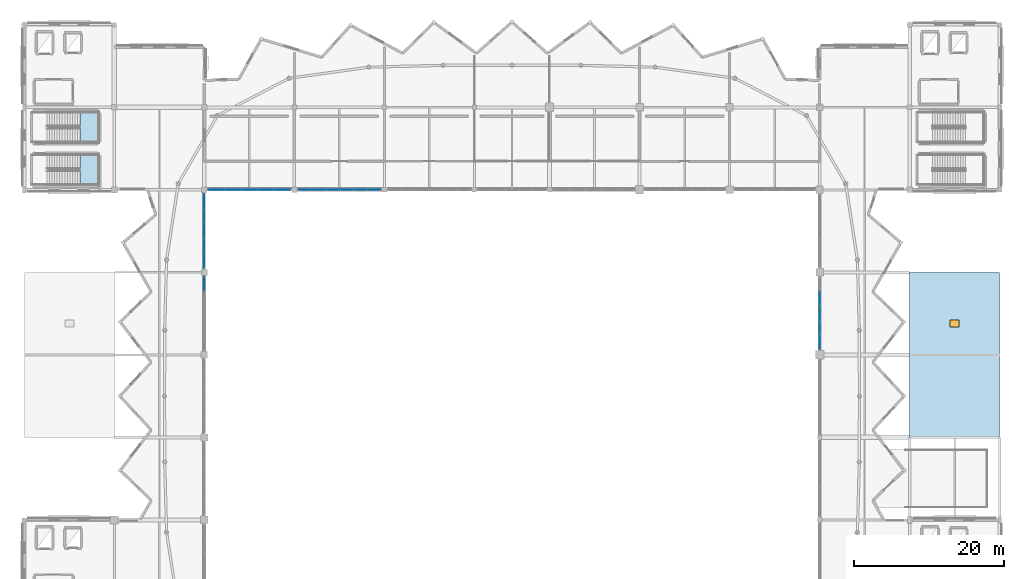
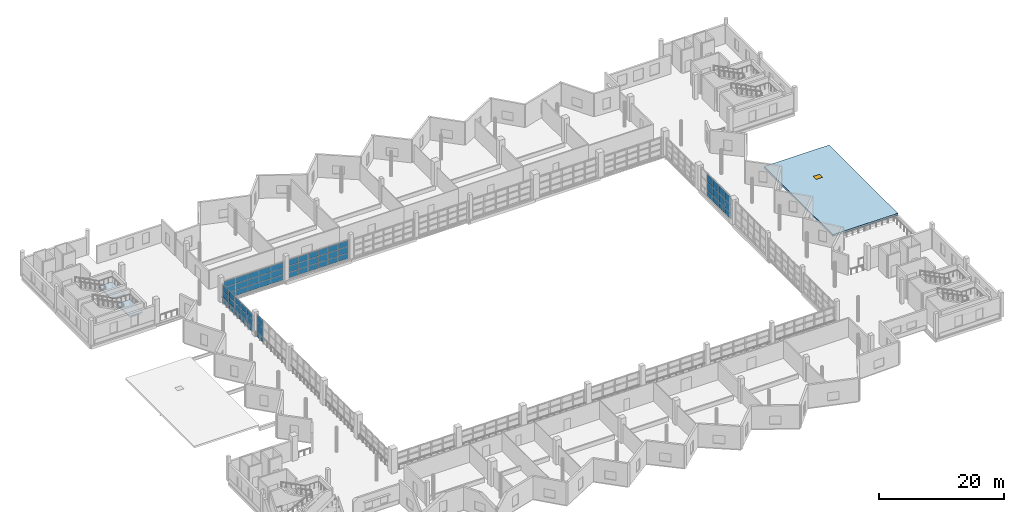
# One storey, part 32 of 53: 63 plates, 3 slabs, 1 window, 1 opening, 7 elements without a shape of their own.
"""IFC4 building model written with IfcOpenShell, lengths in metres."""

import ifcopenshell
import ifcopenshell.guid

model = None  # the IFC model being written
_history = None  # IfcOwnerHistory: only IFC2X3 demands one
_inside = {}  # id of a spatial element -> (the spatial element, [elements in it])
_under = {}  # id of a project, library or spatial element -> (it, [spatial elements below it])
_declared = {}  # id of a project -> (the project, [libraries it declares])
_typed = {}  # id of a type object -> (the type object, [elements of that type])
_made_of = {}  # id of a material, layer set ... -> (it, [elements and type objects made of it])


def new_model(schema):
    """Start an empty IFC model of exactly this schema.

    Asked for "IFC4X3", IfcOpenShell would pick the latest addendum, in which some entities
    have other attributes; the version numbers below select the first issue.
    IFC2X3 requires an IfcOwnerHistory on every rooted entity: one is made here for all.
    """
    global model, _history
    if schema == "IFC4X3":
        model = ifcopenshell.file(schema_version=(4, 3, 0, 0))
    else:
        model = ifcopenshell.file(schema=schema)
    _inside.clear()
    _under.clear()
    _declared.clear()
    _typed.clear()
    _made_of.clear()
    _history = None
    if model.schema == "IFC2X3":
        org = make("IfcOrganization", Name="unknown")
        user = make(
            "IfcPersonAndOrganization",
            ThePerson=make("IfcPerson", FamilyName="unknown"),
            TheOrganization=org,
        )
        app = make(
            "IfcApplication",
            ApplicationDeveloper=org,
            Version="unknown",
            ApplicationFullName="unknown",
            ApplicationIdentifier="unknown",
        )
        _history = make(
            "IfcOwnerHistory",
            OwningUser=user,
            OwningApplication=app,
            ChangeAction="ADDED",
            CreationDate=0,
        )
    return model


def make(cls, **values):
    """One entity of the class cls with the attributes given. An attribute that is None is left unset."""
    return model.create_entity(
        cls, **{name: value for name, value in values.items() if value is not None}
    )


def rooted(cls, **values):
    """An entity with a GlobalId (a new one), such as an element, a storey or a relation."""
    return make(cls, GlobalId=ifcopenshell.guid.new(), OwnerHistory=_history, **values)


def si_unit(unit_type, name, prefix=None):
    """IfcSIUnit, for example si_unit("LENGTHUNIT", "METRE", prefix="MILLI")."""
    return make("IfcSIUnit", UnitType=unit_type, Prefix=prefix, Name=name)


def assignment(units):
    """IfcUnitAssignment: the units of a project."""
    return None if units is None else make("IfcUnitAssignment", Units=units)


def point(xyz):
    """IfcCartesianPoint."""
    return None if xyz is None else make("IfcCartesianPoint", Coordinates=xyz)


def direction(xyz):
    """IfcDirection."""
    return None if xyz is None else make("IfcDirection", DirectionRatios=xyz)


def frame(location, z_axis=None, x_axis=None):
    """IfcAxis2Placement3D, a coordinate frame: its origin and axes. An axis left out is left unset."""
    return make(
        "IfcAxis2Placement3D",
        Location=point(location),
        Axis=direction(z_axis),
        RefDirection=direction(x_axis),
    )


def frame_2d(location, x_axis=None):
    """IfcAxis2Placement2D, a coordinate frame in the plane: its origin and x axis."""
    return make(
        "IfcAxis2Placement2D", Location=point(location), RefDirection=direction(x_axis)
    )


def origin():
    """The frame at (0, 0, 0) with its axes left unset."""
    return frame((0.0, 0.0, 0.0))


def origin_2d():
    """The frame at (0, 0) in the plane with its x axis left unset."""
    return frame_2d((0.0, 0.0))


def place(relative_to, where):
    """IfcLocalPlacement: puts the frame where relative to a parent placement (None: the world)."""
    return make(
        "IfcLocalPlacement", PlacementRelTo=relative_to, RelativePlacement=where
    )


def context(
    kind, dimensions, precision=None, world=None, true_north=None, identifier=None
):
    """IfcGeometricRepresentationContext, for example the 3D "Model" context."""
    return make(
        "IfcGeometricRepresentationContext",
        ContextIdentifier=identifier,
        ContextType=kind,
        CoordinateSpaceDimension=dimensions,
        Precision=precision,
        WorldCoordinateSystem=world,
        TrueNorth=true_north,
    )


def subcontext(parent, identifier, kind, view, scale=None):
    """IfcGeometricRepresentationSubContext, for example "Body" below "Model"."""
    return make(
        "IfcGeometricRepresentationSubContext",
        ContextIdentifier=identifier,
        ContextType=kind,
        ParentContext=parent,
        TargetScale=scale,
        TargetView=view,
    )


def project(units=None, contexts=None):
    """IfcProject with its units and contexts."""
    return rooted(
        "IfcProject",
        Name="project",
        RepresentationContexts=contexts,
        UnitsInContext=assignment(units),
    )


def spatial(cls, under=None, at=None, **own):
    """A site, building, storey or space (cls), placed at a placement, below another one or the project."""
    s = rooted(cls, ObjectPlacement=at, **own)
    if under is not None:
        _under.setdefault(under.id(), (under, []))[1].append(s)
    return s


def polyline(points):
    """IfcPolyline through the points."""
    return make("IfcPolyline", Points=[point(p) for p in points])


def profile(cls, at=None, kind="AREA", **sizes):
    """A parametric profile (cls). Its sizes go by their IFC names, for example OverallWidth=200.0."""
    return make(cls, ProfileType=kind, Position=at, **sizes)


def rectangle(**sizes):
    """IfcRectangleProfileDef."""
    return profile("IfcRectangleProfileDef", **sizes)


def outline(outer, holes=None, kind="AREA"):
    """IfcArbitraryClosedProfileDef: a profile drawn as a closed curve; with holes, ...WithVoids."""
    if holes is None:
        return make("IfcArbitraryClosedProfileDef", ProfileType=kind, OuterCurve=outer)
    return make(
        "IfcArbitraryProfileDefWithVoids",
        ProfileType=kind,
        OuterCurve=outer,
        InnerCurves=holes,
    )


def extrude(swept, where, along, depth):
    """IfcExtrudedAreaSolid: the profile swept, set in the frame where, extruded along a direction by depth."""
    return make(
        "IfcExtrudedAreaSolid",
        SweptArea=swept,
        Position=where,
        ExtrudedDirection=direction(along),
        Depth=depth,
    )


def shape(context_of_items, identifier, shape_type, items):
    """IfcShapeRepresentation: the items that make up one representation, for example the "Body"."""
    return make(
        "IfcShapeRepresentation",
        ContextOfItems=context_of_items,
        RepresentationIdentifier=identifier,
        RepresentationType=shape_type,
        Items=items,
    )


def material(Name=None, Category=None):
    """IfcMaterial."""
    return make("IfcMaterial", Name=Name, Category=Category)


def layer(
    of_material, thickness, ventilated=None, Name=None, Category=None, Priority=None
):
    """IfcMaterialLayer: one layer of a wall or slab, of a material (None: an air gap)."""
    return make(
        "IfcMaterialLayer",
        Material=of_material,
        LayerThickness=thickness,
        IsVentilated=ventilated,
        Name=Name,
        Category=Category,
        Priority=Priority,
    )


def layer_set(layers, Name=None):
    """IfcMaterialLayerSet."""
    return make("IfcMaterialLayerSet", MaterialLayers=layers, LayerSetName=Name)


def made_of(thing, what):
    """Note that an element or type object is made of a material, layer set ...; save() writes the relation."""
    if what is not None:
        _made_of.setdefault(what.id(), (what, []))[1].append(thing)
    return thing


def type_object(cls, material=None, **own):
    """A type object (cls), such as IfcWallType, which elements share."""
    return made_of(rooted(cls, **own), material)


def element(
    cls,
    number,
    at=None,
    inside=None,
    cuts=None,
    type_object=None,
    material=None,
    context=None,
    identifier="Body",
    shape_type=None,
    held_by="IfcProductDefinitionShape",
    body=None,
    shapes=None,
    **own,
):
    """One element of the class cls, such as IfcWall. Its Tag is "e" and its number.

    at: its placement. inside: the storey or other place that contains it. cuts: it is an
    opening in that element (IfcRelVoidsElement). A single representation is given by context,
    identifier, shape_type and body (its items); several are given by shapes. held_by: the class
    of the entity that holds the representations. save() writes the other relations.
    """
    e = rooted(cls, Tag="e%d" % number, ObjectPlacement=at, **own)
    if body is not None:
        shapes = [shape(context, identifier, shape_type, body)]
    if shapes is not None:
        e.Representation = make(held_by, Representations=shapes)
    if inside is not None:
        _inside.setdefault(inside.id(), (inside, []))[1].append(e)
    if cuts is not None:
        rooted(
            "IfcRelVoidsElement", RelatingBuildingElement=cuts, RelatedOpeningElement=e
        )
    if type_object is not None:
        _typed.setdefault(type_object.id(), (type_object, []))[1].append(e)
    return made_of(e, material)


def fill(opening, filler):
    """IfcRelFillsElement: the door or window that sits in an opening."""
    return rooted(
        "IfcRelFillsElement",
        RelatingOpeningElement=opening,
        RelatedBuildingElement=filler,
    )


def aggregate(whole, parts):
    """IfcRelAggregates: a whole, such as a stair, and the parts it consists of."""
    return rooted("IfcRelAggregates", RelatingObject=whole, RelatedObjects=parts)


def save(model, path):
    """Write the relations noted so far, then the file.

    IfcRelAggregates (storeys below a building ...), IfcRelContainedInSpatialStructure (elements
    in a storey), IfcRelDefinesByType, IfcRelAssociatesMaterial and IfcRelDeclares: one each for
    every whole, place, type object, material and project.
    """
    for whole, parts in _under.values():
        aggregate(whole, parts)
    for where, things in _inside.values():
        rooted(
            "IfcRelContainedInSpatialStructure",
            RelatedElements=things,
            RelatingStructure=where,
        )
    for kind, things in _typed.values():
        rooted("IfcRelDefinesByType", RelatedObjects=things, RelatingType=kind)
    for what, things in _made_of.values():
        rooted("IfcRelAssociatesMaterial", RelatedObjects=things, RelatingMaterial=what)
    for by, libraries in _declared.values():
        rooted("IfcRelDeclares", RelatingContext=by, RelatedDefinitions=libraries)
    model.write(path)


model = new_model("IFC4")

# Units and contexts
model_context = context("Model", 3, precision=1e-05, world=origin(), true_north=direction((0.0, 1.0)))
body_context = subcontext(model_context, "Body", "Model", "MODEL_VIEW")
ifc_project = project(units=[si_unit("LENGTHUNIT", "METRE"), si_unit("AREAUNIT", "SQUARE_METRE"), si_unit("VOLUMEUNIT", "CUBIC_METRE"), si_unit("PLANEANGLEUNIT", "RADIAN"), si_unit("MASSUNIT", "GRAM", prefix="KILO")], contexts=[model_context])

# Site, building, storey
site_placement = place(None, origin())
site = spatial("IfcSite", under=ifc_project, at=site_placement, CompositionType="ELEMENT")
building_placement = place(site_placement, origin())
building = spatial("IfcBuilding", under=site, at=building_placement, Name="Luwafu Chhajja Arena", CompositionType="ELEMENT")
storey_placement = place(building_placement, frame((0.0, 0.0, 19.5)))
storey = spatial("IfcBuildingStorey", under=building, at=storey_placement, Name="L04", CompositionType="ELEMENT", Elevation=19.5)

# Curtain wall, plates
ifc_material_1 = material(Name="Anodised bronze aluminium", Category="aluminium")
curtain_wall_type = type_object("IfcCurtainWallType", Name="Media Ribbon Curtain Wall", PredefinedType="USERDEFINED", material=ifc_material_1)
curtain_wall_1_placement = place(storey_placement, origin())
curtain_wall_1 = element("IfcCurtainWall", 1, at=curtain_wall_1_placement, inside=storey, type_object=curtain_wall_type, Name="L04 Bowl Viewing Curtain Wall CWR-L04-08", ObjectType="CURTAIN WALL", PredefinedType="USERDEFINED")
ifc_material_2 = material(Name="Solar-control laminated glass", Category="glass")
ifc_layer_1 = layer(ifc_material_2, 0.035888671875, Name="Solar-control laminated glass")
ifc_layer_set_1 = layer_set([ifc_layer_1], Name="Solar-control laminated glass")
plate_type = type_object("IfcPlateType", Name="Acoustic Broadcast Double Glazed CW Panel 36", PredefinedType="CURTAIN_PANEL", material=ifc_layer_set_1)
plate_1_placement = place(storey_placement, frame((59.632080078125, 77.0, 0.070068359375), z_axis=(0.0, 0.0, 1.0), x_axis=(1.0, 0.0, 0.0)))
plate_1 = element("IfcPlate", 2, at=plate_1_placement, type_object=plate_type, Name="CW-03 panel 1.1", PredefinedType="CURTAIN_PANEL", context=body_context, shape_type="SweptSolid", body=[
    extrude(rectangle(XDim=2.093994140625, YDim=0.035888671875, at=origin_2d()), origin(), (0.0, 0.0, 1.0), 1.044921875),
])
plate_2_placement = place(storey_placement, frame((59.632080078125, 77.0, 1.18505859375), z_axis=(0.0, 0.0, 1.0), x_axis=(1.0, 0.0, 0.0)))
plate_2 = element("IfcPlate", 3, at=plate_2_placement, type_object=plate_type, Name="CW-03 panel 1.2", PredefinedType="CURTAIN_PANEL", context=body_context, shape_type="SweptSolid", body=[
    extrude(rectangle(XDim=2.093994140625, YDim=0.035888671875, at=origin_2d()), origin(), (0.0, 0.0, 1.0), 1.175048828125),
])
plate_3_placement = place(storey_placement, frame((59.632080078125, 77.0, 2.43017578125), z_axis=(0.0, 0.0, 1.0), x_axis=(1.0, 0.0, 0.0)))
plate_3 = element("IfcPlate", 4, at=plate_3_placement, type_object=plate_type, Name="CW-03 panel 1.3", PredefinedType="CURTAIN_PANEL", context=body_context, shape_type="SweptSolid", body=[
    extrude(rectangle(XDim=2.093994140625, YDim=0.035888671875, at=origin_2d()), origin(), (0.0, 0.0, 1.0), 1.139892578125),
])
plate_4_placement = place(storey_placement, frame((61.8134765625, 77.0, 0.070068359375), z_axis=(0.0, 0.0, 1.0), x_axis=(1.0, 0.0, 0.0)))
plate_4 = element("IfcPlate", 5, at=plate_4_placement, type_object=plate_type, Name="CW-03 panel 2.1", PredefinedType="CURTAIN_PANEL", context=body_context, shape_type="SweptSolid", body=[
    extrude(rectangle(XDim=2.12890625, YDim=0.035888671875, at=origin_2d()), origin(), (0.0, 0.0, 1.0), 1.044921875),
])
plate_5_placement = place(storey_placement, frame((61.8134765625, 77.0, 1.18505859375), z_axis=(0.0, 0.0, 1.0), x_axis=(1.0, 0.0, 0.0)))
plate_5 = element("IfcPlate", 6, at=plate_5_placement, type_object=plate_type, Name="CW-03 panel 2.2", PredefinedType="CURTAIN_PANEL", context=body_context, shape_type="SweptSolid", body=[
    extrude(rectangle(XDim=2.12890625, YDim=0.035888671875, at=origin_2d()), origin(), (0.0, 0.0, 1.0), 1.175048828125),
])
plate_6_placement = place(storey_placement, frame((61.8134765625, 77.0, 2.43017578125), z_axis=(0.0, 0.0, 1.0), x_axis=(1.0, 0.0, 0.0)))
plate_6 = element("IfcPlate", 7, at=plate_6_placement, type_object=plate_type, Name="CW-03 panel 2.3", PredefinedType="CURTAIN_PANEL", context=body_context, shape_type="SweptSolid", body=[
    extrude(rectangle(XDim=2.12890625, YDim=0.035888671875, at=origin_2d()), origin(), (0.0, 0.0, 1.0), 1.139892578125),
])
plate_7_placement = place(storey_placement, frame((64.012451171875, 77.0, 0.070068359375), z_axis=(0.0, 0.0, 1.0), x_axis=(1.0, 0.0, 0.0)))
plate_7 = element("IfcPlate", 8, at=plate_7_placement, type_object=plate_type, Name="CW-03 panel 3.1", PredefinedType="CURTAIN_PANEL", context=body_context, shape_type="SweptSolid", body=[
    extrude(rectangle(XDim=2.12890625, YDim=0.035888671875, at=origin_2d()), origin(), (0.0, 0.0, 1.0), 1.044921875),
])
plate_8_placement = place(storey_placement, frame((64.012451171875, 77.0, 1.18505859375), z_axis=(0.0, 0.0, 1.0), x_axis=(1.0, 0.0, 0.0)))
plate_8 = element("IfcPlate", 9, at=plate_8_placement, type_object=plate_type, Name="CW-03 panel 3.2", PredefinedType="CURTAIN_PANEL", context=body_context, shape_type="SweptSolid", body=[
    extrude(rectangle(XDim=2.12890625, YDim=0.035888671875, at=origin_2d()), origin(), (0.0, 0.0, 1.0), 1.175048828125),
])
plate_9_placement = place(storey_placement, frame((64.012451171875, 77.0, 2.43017578125), z_axis=(0.0, 0.0, 1.0), x_axis=(1.0, 0.0, 0.0)))
plate_9 = element("IfcPlate", 10, at=plate_9_placement, type_object=plate_type, Name="CW-03 panel 3.3", PredefinedType="CURTAIN_PANEL", context=body_context, shape_type="SweptSolid", body=[
    extrude(rectangle(XDim=2.12890625, YDim=0.035888671875, at=origin_2d()), origin(), (0.0, 0.0, 1.0), 1.139892578125),
])
plate_10_placement = place(storey_placement, frame((66.21142578125, 77.0, 0.070068359375), z_axis=(0.0, 0.0, 1.0), x_axis=(1.0, 0.0, 0.0)))
plate_10 = element("IfcPlate", 11, at=plate_10_placement, type_object=plate_type, Name="CW-03 panel 4.1", PredefinedType="CURTAIN_PANEL", context=body_context, shape_type="SweptSolid", body=[
    extrude(rectangle(XDim=2.12890625, YDim=0.035888671875, at=origin_2d()), origin(), (0.0, 0.0, 1.0), 1.044921875),
])
plate_11_placement = place(storey_placement, frame((66.21142578125, 77.0, 1.18505859375), z_axis=(0.0, 0.0, 1.0), x_axis=(1.0, 0.0, 0.0)))
plate_11 = element("IfcPlate", 12, at=plate_11_placement, type_object=plate_type, Name="CW-03 panel 4.2", PredefinedType="CURTAIN_PANEL", context=body_context, shape_type="SweptSolid", body=[
    extrude(rectangle(XDim=2.12890625, YDim=0.035888671875, at=origin_2d()), origin(), (0.0, 0.0, 1.0), 1.175048828125),
])
plate_12_placement = place(storey_placement, frame((66.21142578125, 77.0, 2.43017578125), z_axis=(0.0, 0.0, 1.0), x_axis=(1.0, 0.0, 0.0)))
plate_12 = element("IfcPlate", 13, at=plate_12_placement, type_object=plate_type, Name="CW-03 panel 4.3", PredefinedType="CURTAIN_PANEL", context=body_context, shape_type="SweptSolid", body=[
    extrude(rectangle(XDim=2.12890625, YDim=0.035888671875, at=origin_2d()), origin(), (0.0, 0.0, 1.0), 1.139892578125),
])
plate_13_placement = place(storey_placement, frame((68.39306640625, 77.0, 0.070068359375), z_axis=(0.0, 0.0, 1.0), x_axis=(1.0, 0.0, 0.0)))
plate_13 = element("IfcPlate", 14, at=plate_13_placement, type_object=plate_type, Name="CW-03 panel 5.1", PredefinedType="CURTAIN_PANEL", context=body_context, shape_type="SweptSolid", body=[
    extrude(rectangle(XDim=2.093994140625, YDim=0.035888671875, at=origin_2d()), origin(), (0.0, 0.0, 1.0), 1.044921875),
])
plate_14_placement = place(storey_placement, frame((68.39306640625, 77.0, 1.18505859375), z_axis=(0.0, 0.0, 1.0), x_axis=(1.0, 0.0, 0.0)))
plate_14 = element("IfcPlate", 15, at=plate_14_placement, type_object=plate_type, Name="CW-03 panel 5.2", PredefinedType="CURTAIN_PANEL", context=body_context, shape_type="SweptSolid", body=[
    extrude(rectangle(XDim=2.093994140625, YDim=0.035888671875, at=origin_2d()), origin(), (0.0, 0.0, 1.0), 1.175048828125),
])
plate_15_placement = place(storey_placement, frame((68.39306640625, 77.0, 2.43017578125), z_axis=(0.0, 0.0, 1.0), x_axis=(1.0, 0.0, 0.0)))
plate_15 = element("IfcPlate", 16, at=plate_15_placement, type_object=plate_type, Name="CW-03 panel 5.3", PredefinedType="CURTAIN_PANEL", context=body_context, shape_type="SweptSolid", body=[
    extrude(rectangle(XDim=2.093994140625, YDim=0.035888671875, at=origin_2d()), origin(), (0.0, 0.0, 1.0), 1.139892578125),
])
aggregate(curtain_wall_1, [plate_1, plate_2, plate_3, plate_4, plate_5, plate_6, plate_7, plate_8, plate_9, plate_10, plate_11, plate_12, plate_13, plate_14, plate_15])

curtain_wall_2_placement = place(storey_placement, origin())
curtain_wall_2 = element("IfcCurtainWall", 17, at=curtain_wall_2_placement, inside=storey, type_object=curtain_wall_type, Name="L04 Bowl Viewing Curtain Wall CWR-L04-09", ObjectType="CURTAIN WALL", PredefinedType="USERDEFINED")
plate_16_placement = place(storey_placement, frame((71.427978515625, 77.0, 0.070068359375), z_axis=(0.0, 0.0, 1.0), x_axis=(1.0, 0.0, 0.0)))
plate_16 = element("IfcPlate", 18, at=plate_16_placement, type_object=plate_type, Name="CW-03 panel 1.1", PredefinedType="CURTAIN_PANEL", context=body_context, shape_type="SweptSolid", body=[
    extrude(rectangle(XDim=1.73583984375, YDim=0.035888671875, at=origin_2d()), origin(), (0.0, 0.0, 1.0), 1.044921875),
])
plate_17_placement = place(storey_placement, frame((71.427978515625, 77.0, 1.18505859375), z_axis=(0.0, 0.0, 1.0), x_axis=(1.0, 0.0, 0.0)))
plate_17 = element("IfcPlate", 19, at=plate_17_placement, type_object=plate_type, Name="CW-03 panel 1.2", PredefinedType="CURTAIN_PANEL", context=body_context, shape_type="SweptSolid", body=[
    extrude(rectangle(XDim=1.73583984375, YDim=0.035888671875, at=origin_2d()), origin(), (0.0, 0.0, 1.0), 1.208251953125),
])
plate_18_placement = place(storey_placement, frame((71.427978515625, 77.0, 2.463134765625), z_axis=(0.0, 0.0, 1.0), x_axis=(1.0, 0.0, 0.0)))
plate_18 = element("IfcPlate", 20, at=plate_18_placement, type_object=plate_type, Name="CW-03 panel 1.3", PredefinedType="CURTAIN_PANEL", context=body_context, shape_type="SweptSolid", body=[
    extrude(rectangle(XDim=1.73583984375, YDim=0.035888671875, at=origin_2d()), origin(), (0.0, 0.0, 1.0), 1.17333984375),
])
plate_19_placement = place(storey_placement, frame((73.251220703125, 77.0, 0.070068359375), z_axis=(0.0, 0.0, 1.0), x_axis=(1.0, 0.0, 0.0)))
plate_19 = element("IfcPlate", 21, at=plate_19_placement, type_object=plate_type, Name="CW-03 panel 2.1", PredefinedType="CURTAIN_PANEL", context=body_context, shape_type="SweptSolid", body=[
    extrude(rectangle(XDim=1.770751953125, YDim=0.035888671875, at=origin_2d()), origin(), (0.0, 0.0, 1.0), 1.044921875),
])
plate_20_placement = place(storey_placement, frame((73.251220703125, 77.0, 1.18505859375), z_axis=(0.0, 0.0, 1.0), x_axis=(1.0, 0.0, 0.0)))
plate_20 = element("IfcPlate", 22, at=plate_20_placement, type_object=plate_type, Name="CW-03 panel 2.2", PredefinedType="CURTAIN_PANEL", context=body_context, shape_type="SweptSolid", body=[
    extrude(rectangle(XDim=1.770751953125, YDim=0.035888671875, at=origin_2d()), origin(), (0.0, 0.0, 1.0), 1.208251953125),
])
plate_21_placement = place(storey_placement, frame((73.251220703125, 77.0, 2.463134765625), z_axis=(0.0, 0.0, 1.0), x_axis=(1.0, 0.0, 0.0)))
plate_21 = element("IfcPlate", 23, at=plate_21_placement, type_object=plate_type, Name="CW-03 panel 2.3", PredefinedType="CURTAIN_PANEL", context=body_context, shape_type="SweptSolid", body=[
    extrude(rectangle(XDim=1.770751953125, YDim=0.035888671875, at=origin_2d()), origin(), (0.0, 0.0, 1.0), 1.17333984375),
])
plate_22_placement = place(storey_placement, frame((75.092041015625, 77.0, 0.070068359375), z_axis=(0.0, 0.0, 1.0), x_axis=(1.0, 0.0, 0.0)))
plate_22 = element("IfcPlate", 24, at=plate_22_placement, type_object=plate_type, Name="CW-03 panel 3.1", PredefinedType="CURTAIN_PANEL", context=body_context, shape_type="SweptSolid", body=[
    extrude(rectangle(XDim=1.770751953125, YDim=0.035888671875, at=origin_2d()), origin(), (0.0, 0.0, 1.0), 1.044921875),
])
plate_23_placement = place(storey_placement, frame((75.092041015625, 77.0, 1.18505859375), z_axis=(0.0, 0.0, 1.0), x_axis=(1.0, 0.0, 0.0)))
plate_23 = element("IfcPlate", 25, at=plate_23_placement, type_object=plate_type, Name="CW-03 panel 3.2", PredefinedType="CURTAIN_PANEL", context=body_context, shape_type="SweptSolid", body=[
    extrude(rectangle(XDim=1.770751953125, YDim=0.035888671875, at=origin_2d()), origin(), (0.0, 0.0, 1.0), 1.208251953125),
])
plate_24_placement = place(storey_placement, frame((75.092041015625, 77.0, 2.463134765625), z_axis=(0.0, 0.0, 1.0), x_axis=(1.0, 0.0, 0.0)))
plate_24 = element("IfcPlate", 26, at=plate_24_placement, type_object=plate_type, Name="CW-03 panel 3.3", PredefinedType="CURTAIN_PANEL", context=body_context, shape_type="SweptSolid", body=[
    extrude(rectangle(XDim=1.770751953125, YDim=0.035888671875, at=origin_2d()), origin(), (0.0, 0.0, 1.0), 1.17333984375),
])
plate_25_placement = place(storey_placement, frame((76.932861328125, 77.0, 0.070068359375), z_axis=(0.0, 0.0, 1.0), x_axis=(1.0, 0.0, 0.0)))
plate_25 = element("IfcPlate", 27, at=plate_25_placement, type_object=plate_type, Name="CW-03 panel 4.1", PredefinedType="CURTAIN_PANEL", context=body_context, shape_type="SweptSolid", body=[
    extrude(rectangle(XDim=1.770751953125, YDim=0.035888671875, at=origin_2d()), origin(), (0.0, 0.0, 1.0), 1.044921875),
])
plate_26_placement = place(storey_placement, frame((76.932861328125, 77.0, 1.18505859375), z_axis=(0.0, 0.0, 1.0), x_axis=(1.0, 0.0, 0.0)))
plate_26 = element("IfcPlate", 28, at=plate_26_placement, type_object=plate_type, Name="CW-03 panel 4.2", PredefinedType="CURTAIN_PANEL", context=body_context, shape_type="SweptSolid", body=[
    extrude(rectangle(XDim=1.770751953125, YDim=0.035888671875, at=origin_2d()), origin(), (0.0, 0.0, 1.0), 1.208251953125),
])
plate_27_placement = place(storey_placement, frame((76.932861328125, 77.0, 2.463134765625), z_axis=(0.0, 0.0, 1.0), x_axis=(1.0, 0.0, 0.0)))
plate_27 = element("IfcPlate", 29, at=plate_27_placement, type_object=plate_type, Name="CW-03 panel 4.3", PredefinedType="CURTAIN_PANEL", context=body_context, shape_type="SweptSolid", body=[
    extrude(rectangle(XDim=1.770751953125, YDim=0.035888671875, at=origin_2d()), origin(), (0.0, 0.0, 1.0), 1.17333984375),
])
plate_28_placement = place(storey_placement, frame((78.773681640625, 77.0, 0.070068359375), z_axis=(0.0, 0.0, 1.0), x_axis=(1.0, 0.0, 0.0)))
plate_28 = element("IfcPlate", 30, at=plate_28_placement, type_object=plate_type, Name="CW-03 panel 5.1", PredefinedType="CURTAIN_PANEL", context=body_context, shape_type="SweptSolid", body=[
    extrude(rectangle(XDim=1.770751953125, YDim=0.035888671875, at=origin_2d()), origin(), (0.0, 0.0, 1.0), 1.044921875),
])
plate_29_placement = place(storey_placement, frame((78.773681640625, 77.0, 1.18505859375), z_axis=(0.0, 0.0, 1.0), x_axis=(1.0, 0.0, 0.0)))
plate_29 = element("IfcPlate", 31, at=plate_29_placement, type_object=plate_type, Name="CW-03 panel 5.2", PredefinedType="CURTAIN_PANEL", context=body_context, shape_type="SweptSolid", body=[
    extrude(rectangle(XDim=1.770751953125, YDim=0.035888671875, at=origin_2d()), origin(), (0.0, 0.0, 1.0), 1.208251953125),
])
plate_30_placement = place(storey_placement, frame((78.773681640625, 77.0, 2.463134765625), z_axis=(0.0, 0.0, 1.0), x_axis=(1.0, 0.0, 0.0)))
plate_30 = element("IfcPlate", 32, at=plate_30_placement, type_object=plate_type, Name="CW-03 panel 5.3", PredefinedType="CURTAIN_PANEL", context=body_context, shape_type="SweptSolid", body=[
    extrude(rectangle(XDim=1.770751953125, YDim=0.035888671875, at=origin_2d()), origin(), (0.0, 0.0, 1.0), 1.17333984375),
])
plate_31_placement = place(storey_placement, frame((80.59716796875, 77.0, 0.070068359375), z_axis=(0.0, 0.0, 1.0), x_axis=(1.0, 0.0, 0.0)))
plate_31 = element("IfcPlate", 33, at=plate_31_placement, type_object=plate_type, Name="CW-03 panel 6.1", PredefinedType="CURTAIN_PANEL", context=body_context, shape_type="SweptSolid", body=[
    extrude(rectangle(XDim=1.73583984375, YDim=0.035888671875, at=origin_2d()), origin(), (0.0, 0.0, 1.0), 1.044921875),
])
plate_32_placement = place(storey_placement, frame((80.59716796875, 77.0, 1.18505859375), z_axis=(0.0, 0.0, 1.0), x_axis=(1.0, 0.0, 0.0)))
plate_32 = element("IfcPlate", 34, at=plate_32_placement, type_object=plate_type, Name="CW-03 panel 6.2", PredefinedType="CURTAIN_PANEL", context=body_context, shape_type="SweptSolid", body=[
    extrude(rectangle(XDim=1.73583984375, YDim=0.035888671875, at=origin_2d()), origin(), (0.0, 0.0, 1.0), 1.208251953125),
])
plate_33_placement = place(storey_placement, frame((80.59716796875, 77.0, 2.463134765625), z_axis=(0.0, 0.0, 1.0), x_axis=(1.0, 0.0, 0.0)))
plate_33 = element("IfcPlate", 35, at=plate_33_placement, type_object=plate_type, Name="CW-03 panel 6.3", PredefinedType="CURTAIN_PANEL", context=body_context, shape_type="SweptSolid", body=[
    extrude(rectangle(XDim=1.73583984375, YDim=0.035888671875, at=origin_2d()), origin(), (0.0, 0.0, 1.0), 1.17333984375),
])
aggregate(curtain_wall_2, [plate_16, plate_17, plate_18, plate_19, plate_20, plate_21, plate_22, plate_23, plate_24, plate_25, plate_26, plate_27, plate_28, plate_29, plate_30, plate_31, plate_32, plate_33])

curtain_wall_3_placement = place(storey_placement, origin())
curtain_wall_3 = element("IfcCurtainWall", 36, at=curtain_wall_3_placement, inside=storey, type_object=curtain_wall_type, Name="L04 Bowl Viewing Curtain Wall CWR-L04-18", ObjectType="CURTAIN WALL", PredefinedType="USERDEFINED")
plate_34_placement = place(storey_placement, frame((58.0, 64.452880859375, 0.070068359375), z_axis=(0.0, 0.0, 1.0), x_axis=(0.0, 1.0, 0.0)))
plate_34 = element("IfcPlate", 37, at=plate_34_placement, type_object=plate_type, Name="CW-03 panel 5.1", PredefinedType="CURTAIN_PANEL", context=body_context, shape_type="SweptSolid", body=[
    extrude(rectangle(XDim=1.8740234375, YDim=0.035888671875, at=origin_2d()), origin(), (0.0, 0.0, 1.0), 1.044921875),
])
plate_35_placement = place(storey_placement, frame((58.0, 64.452880859375, 1.18505859375), z_axis=(0.0, 0.0, 1.0), x_axis=(0.0, 1.0, 0.0)))
plate_35 = element("IfcPlate", 38, at=plate_35_placement, type_object=plate_type, Name="CW-03 panel 5.2", PredefinedType="CURTAIN_PANEL", context=body_context, shape_type="SweptSolid", body=[
    extrude(rectangle(XDim=1.8740234375, YDim=0.035888671875, at=origin_2d()), origin(), (0.0, 0.0, 1.0), 1.5849609375),
])
plate_36_placement = place(storey_placement, frame((58.0, 64.452880859375, 2.83984375), z_axis=(0.0, 0.0, 1.0), x_axis=(0.0, 1.0, 0.0)))
plate_36 = element("IfcPlate", 39, at=plate_36_placement, type_object=plate_type, Name="CW-03 panel 5.3", PredefinedType="CURTAIN_PANEL", context=body_context, shape_type="SweptSolid", body=[
    extrude(rectangle(XDim=1.8740234375, YDim=0.035888671875, at=origin_2d()), origin(), (0.0, 0.0, 1.0), 1.550048828125),
])
aggregate(curtain_wall_3, [plate_34, plate_35, plate_36])

curtain_wall_4_placement = place(storey_placement, origin())
curtain_wall_4 = element("IfcCurtainWall", 40, at=curtain_wall_4_placement, inside=storey, type_object=curtain_wall_type, Name="L04 Bowl Viewing Curtain Wall CWR-L04-19", ObjectType="CURTAIN WALL", PredefinedType="USERDEFINED")
plate_37_placement = place(storey_placement, frame((58.0, 67.552001953125, 0.070068359375), z_axis=(0.0, 0.0, 1.0), x_axis=(0.0, 1.0, 0.0)))
plate_37 = element("IfcPlate", 41, at=plate_37_placement, type_object=plate_type, Name="CW-03 panel 1.1", PredefinedType="CURTAIN_PANEL", context=body_context, shape_type="SweptSolid", body=[
    extrude(rectangle(XDim=1.884033203125, YDim=0.035888671875, at=origin_2d()), origin(), (0.0, 0.0, 1.0), 1.044921875),
])
plate_38_placement = place(storey_placement, frame((58.0, 67.552001953125, 1.18505859375), z_axis=(0.0, 0.0, 1.0), x_axis=(0.0, 1.0, 0.0)))
plate_38 = element("IfcPlate", 42, at=plate_38_placement, type_object=plate_type, Name="CW-03 panel 1.2", PredefinedType="CURTAIN_PANEL", context=body_context, shape_type="SweptSolid", body=[
    extrude(rectangle(XDim=1.884033203125, YDim=0.035888671875, at=origin_2d()), origin(), (0.0, 0.0, 1.0), 1.175048828125),
])
plate_39_placement = place(storey_placement, frame((58.0, 67.552001953125, 2.43017578125), z_axis=(0.0, 0.0, 1.0), x_axis=(0.0, 1.0, 0.0)))
plate_39 = element("IfcPlate", 43, at=plate_39_placement, type_object=plate_type, Name="CW-03 panel 1.3", PredefinedType="CURTAIN_PANEL", context=body_context, shape_type="SweptSolid", body=[
    extrude(rectangle(XDim=1.884033203125, YDim=0.035888671875, at=origin_2d()), origin(), (0.0, 0.0, 1.0), 1.139892578125),
])
plate_40_placement = place(storey_placement, frame((58.0, 69.5234375, 0.070068359375), z_axis=(0.0, 0.0, 1.0), x_axis=(0.0, 1.0, 0.0)))
plate_40 = element("IfcPlate", 44, at=plate_40_placement, type_object=plate_type, Name="CW-03 panel 2.1", PredefinedType="CURTAIN_PANEL", context=body_context, shape_type="SweptSolid", body=[
    extrude(rectangle(XDim=1.9189453125, YDim=0.035888671875, at=origin_2d()), origin(), (0.0, 0.0, 1.0), 1.044921875),
])
plate_41_placement = place(storey_placement, frame((58.0, 69.5234375, 1.18505859375), z_axis=(0.0, 0.0, 1.0), x_axis=(0.0, 1.0, 0.0)))
plate_41 = element("IfcPlate", 45, at=plate_41_placement, type_object=plate_type, Name="CW-03 panel 2.2", PredefinedType="CURTAIN_PANEL", context=body_context, shape_type="SweptSolid", body=[
    extrude(rectangle(XDim=1.9189453125, YDim=0.035888671875, at=origin_2d()), origin(), (0.0, 0.0, 1.0), 1.175048828125),
])
plate_42_placement = place(storey_placement, frame((58.0, 69.5234375, 2.43017578125), z_axis=(0.0, 0.0, 1.0), x_axis=(0.0, 1.0, 0.0)))
plate_42 = element("IfcPlate", 46, at=plate_42_placement, type_object=plate_type, Name="CW-03 panel 2.3", PredefinedType="CURTAIN_PANEL", context=body_context, shape_type="SweptSolid", body=[
    extrude(rectangle(XDim=1.9189453125, YDim=0.035888671875, at=origin_2d()), origin(), (0.0, 0.0, 1.0), 1.139892578125),
])
plate_43_placement = place(storey_placement, frame((58.0, 71.512451171875, 0.070068359375), z_axis=(0.0, 0.0, 1.0), x_axis=(0.0, 1.0, 0.0)))
plate_43 = element("IfcPlate", 47, at=plate_43_placement, type_object=plate_type, Name="CW-03 panel 3.1", PredefinedType="CURTAIN_PANEL", context=body_context, shape_type="SweptSolid", body=[
    extrude(rectangle(XDim=1.9189453125, YDim=0.035888671875, at=origin_2d()), origin(), (0.0, 0.0, 1.0), 1.044921875),
])
plate_44_placement = place(storey_placement, frame((58.0, 71.512451171875, 1.18505859375), z_axis=(0.0, 0.0, 1.0), x_axis=(0.0, 1.0, 0.0)))
plate_44 = element("IfcPlate", 48, at=plate_44_placement, type_object=plate_type, Name="CW-03 panel 3.2", PredefinedType="CURTAIN_PANEL", context=body_context, shape_type="SweptSolid", body=[
    extrude(rectangle(XDim=1.9189453125, YDim=0.035888671875, at=origin_2d()), origin(), (0.0, 0.0, 1.0), 1.175048828125),
])
plate_45_placement = place(storey_placement, frame((58.0, 71.512451171875, 2.43017578125), z_axis=(0.0, 0.0, 1.0), x_axis=(0.0, 1.0, 0.0)))
plate_45 = element("IfcPlate", 49, at=plate_45_placement, type_object=plate_type, Name="CW-03 panel 3.3", PredefinedType="CURTAIN_PANEL", context=body_context, shape_type="SweptSolid", body=[
    extrude(rectangle(XDim=1.9189453125, YDim=0.035888671875, at=origin_2d()), origin(), (0.0, 0.0, 1.0), 1.139892578125),
])
plate_46_placement = place(storey_placement, frame((58.0, 73.50146484375, 0.070068359375), z_axis=(0.0, 0.0, 1.0), x_axis=(0.0, 1.0, 0.0)))
plate_46 = element("IfcPlate", 50, at=plate_46_placement, type_object=plate_type, Name="CW-03 panel 4.1", PredefinedType="CURTAIN_PANEL", context=body_context, shape_type="SweptSolid", body=[
    extrude(rectangle(XDim=1.9189453125, YDim=0.035888671875, at=origin_2d()), origin(), (0.0, 0.0, 1.0), 1.044921875),
])
plate_47_placement = place(storey_placement, frame((58.0, 73.50146484375, 1.18505859375), z_axis=(0.0, 0.0, 1.0), x_axis=(0.0, 1.0, 0.0)))
plate_47 = element("IfcPlate", 51, at=plate_47_placement, type_object=plate_type, Name="CW-03 panel 4.2", PredefinedType="CURTAIN_PANEL", context=body_context, shape_type="SweptSolid", body=[
    extrude(rectangle(XDim=1.9189453125, YDim=0.035888671875, at=origin_2d()), origin(), (0.0, 0.0, 1.0), 1.175048828125),
])
plate_48_placement = place(storey_placement, frame((58.0, 73.50146484375, 2.43017578125), z_axis=(0.0, 0.0, 1.0), x_axis=(0.0, 1.0, 0.0)))
plate_48 = element("IfcPlate", 52, at=plate_48_placement, type_object=plate_type, Name="CW-03 panel 4.3", PredefinedType="CURTAIN_PANEL", context=body_context, shape_type="SweptSolid", body=[
    extrude(rectangle(XDim=1.9189453125, YDim=0.035888671875, at=origin_2d()), origin(), (0.0, 0.0, 1.0), 1.139892578125),
])
plate_49_placement = place(storey_placement, frame((58.0, 75.472900390625, 0.070068359375), z_axis=(0.0, 0.0, 1.0), x_axis=(0.0, 1.0, 0.0)))
plate_49 = element("IfcPlate", 53, at=plate_49_placement, type_object=plate_type, Name="CW-03 panel 5.1", PredefinedType="CURTAIN_PANEL", context=body_context, shape_type="SweptSolid", body=[
    extrude(rectangle(XDim=1.884033203125, YDim=0.035888671875, at=origin_2d()), origin(), (0.0, 0.0, 1.0), 1.044921875),
])
plate_50_placement = place(storey_placement, frame((58.0, 75.472900390625, 1.18505859375), z_axis=(0.0, 0.0, 1.0), x_axis=(0.0, 1.0, 0.0)))
plate_50 = element("IfcPlate", 54, at=plate_50_placement, type_object=plate_type, Name="CW-03 panel 5.2", PredefinedType="CURTAIN_PANEL", context=body_context, shape_type="SweptSolid", body=[
    extrude(rectangle(XDim=1.884033203125, YDim=0.035888671875, at=origin_2d()), origin(), (0.0, 0.0, 1.0), 1.175048828125),
])
plate_51_placement = place(storey_placement, frame((58.0, 75.472900390625, 2.43017578125), z_axis=(0.0, 0.0, 1.0), x_axis=(0.0, 1.0, 0.0)))
plate_51 = element("IfcPlate", 55, at=plate_51_placement, type_object=plate_type, Name="CW-03 panel 5.3", PredefinedType="CURTAIN_PANEL", context=body_context, shape_type="SweptSolid", body=[
    extrude(rectangle(XDim=1.884033203125, YDim=0.035888671875, at=origin_2d()), origin(), (0.0, 0.0, 1.0), 1.139892578125),
])
aggregate(curtain_wall_4, [plate_37, plate_38, plate_39, plate_40, plate_41, plate_42, plate_43, plate_44, plate_45, plate_46, plate_47, plate_48, plate_49, plate_50, plate_51])

curtain_wall_5_placement = place(storey_placement, origin())
curtain_wall_5 = element("IfcCurtainWall", 56, at=curtain_wall_5_placement, inside=storey, type_object=curtain_wall_type, Name="L04 Bowl Viewing Curtain Wall CWR-L04-23", ObjectType="CURTAIN WALL", PredefinedType="USERDEFINED")
plate_52_placement = place(storey_placement, frame((140.0, 56.674560546875, 0.070068359375), z_axis=(0.0, 0.0, 1.0), x_axis=(0.0, 1.0, 0.0)))
plate_52 = element("IfcPlate", 57, at=plate_52_placement, type_object=plate_type, Name="CW-03 panel 1.1", PredefinedType="CURTAIN_PANEL", context=body_context, shape_type="SweptSolid", body=[
    extrude(rectangle(XDim=1.8291015625, YDim=0.035888671875, at=origin_2d()), origin(), (0.0, 0.0, 1.0), 1.044921875),
])
plate_53_placement = place(storey_placement, frame((140.0, 56.674560546875, 1.18505859375), z_axis=(0.0, 0.0, 1.0), x_axis=(0.0, 1.0, 0.0)))
plate_53 = element("IfcPlate", 58, at=plate_53_placement, type_object=plate_type, Name="CW-03 panel 1.2", PredefinedType="CURTAIN_PANEL", context=body_context, shape_type="SweptSolid", body=[
    extrude(rectangle(XDim=1.8291015625, YDim=0.035888671875, at=origin_2d()), origin(), (0.0, 0.0, 1.0), 1.5849609375),
])
plate_54_placement = place(storey_placement, frame((140.0, 56.674560546875, 2.83984375), z_axis=(0.0, 0.0, 1.0), x_axis=(0.0, 1.0, 0.0)))
plate_54 = element("IfcPlate", 59, at=plate_54_placement, type_object=plate_type, Name="CW-03 panel 1.3", PredefinedType="CURTAIN_PANEL", context=body_context, shape_type="SweptSolid", body=[
    extrude(rectangle(XDim=1.8291015625, YDim=0.035888671875, at=origin_2d()), origin(), (0.0, 0.0, 1.0), 1.550048828125),
])
plate_55_placement = place(storey_placement, frame((140.0, 58.591064453125, 0.070068359375), z_axis=(0.0, 0.0, 1.0), x_axis=(0.0, 1.0, 0.0)))
plate_55 = element("IfcPlate", 60, at=plate_55_placement, type_object=plate_type, Name="CW-03 panel 2.1", PredefinedType="CURTAIN_PANEL", context=body_context, shape_type="SweptSolid", body=[
    extrude(rectangle(XDim=1.864013671875, YDim=0.035888671875, at=origin_2d()), origin(), (0.0, 0.0, 1.0), 1.044921875),
])
plate_56_placement = place(storey_placement, frame((140.0, 58.591064453125, 1.18505859375), z_axis=(0.0, 0.0, 1.0), x_axis=(0.0, 1.0, 0.0)))
plate_56 = element("IfcPlate", 61, at=plate_56_placement, type_object=plate_type, Name="CW-03 panel 2.2", PredefinedType="CURTAIN_PANEL", context=body_context, shape_type="SweptSolid", body=[
    extrude(rectangle(XDim=1.864013671875, YDim=0.035888671875, at=origin_2d()), origin(), (0.0, 0.0, 1.0), 1.5849609375),
])
plate_57_placement = place(storey_placement, frame((140.0, 58.591064453125, 2.83984375), z_axis=(0.0, 0.0, 1.0), x_axis=(0.0, 1.0, 0.0)))
plate_57 = element("IfcPlate", 62, at=plate_57_placement, type_object=plate_type, Name="CW-03 panel 2.3", PredefinedType="CURTAIN_PANEL", context=body_context, shape_type="SweptSolid", body=[
    extrude(rectangle(XDim=1.864013671875, YDim=0.035888671875, at=origin_2d()), origin(), (0.0, 0.0, 1.0), 1.550048828125),
])
plate_58_placement = place(storey_placement, frame((140.0, 60.52490234375, 0.070068359375), z_axis=(0.0, 0.0, 1.0), x_axis=(0.0, 1.0, 0.0)))
plate_58 = element("IfcPlate", 63, at=plate_58_placement, type_object=plate_type, Name="CW-03 panel 3.1", PredefinedType="CURTAIN_PANEL", context=body_context, shape_type="SweptSolid", body=[
    extrude(rectangle(XDim=1.864013671875, YDim=0.035888671875, at=origin_2d()), origin(), (0.0, 0.0, 1.0), 1.044921875),
])
plate_59_placement = place(storey_placement, frame((140.0, 60.52490234375, 1.18505859375), z_axis=(0.0, 0.0, 1.0), x_axis=(0.0, 1.0, 0.0)))
plate_59 = element("IfcPlate", 64, at=plate_59_placement, type_object=plate_type, Name="CW-03 panel 3.2", PredefinedType="CURTAIN_PANEL", context=body_context, shape_type="SweptSolid", body=[
    extrude(rectangle(XDim=1.864013671875, YDim=0.035888671875, at=origin_2d()), origin(), (0.0, 0.0, 1.0), 1.5849609375),
])
plate_60_placement = place(storey_placement, frame((140.0, 60.52490234375, 2.83984375), z_axis=(0.0, 0.0, 1.0), x_axis=(0.0, 1.0, 0.0)))
plate_60 = element("IfcPlate", 65, at=plate_60_placement, type_object=plate_type, Name="CW-03 panel 3.3", PredefinedType="CURTAIN_PANEL", context=body_context, shape_type="SweptSolid", body=[
    extrude(rectangle(XDim=1.864013671875, YDim=0.035888671875, at=origin_2d()), origin(), (0.0, 0.0, 1.0), 1.550048828125),
])
plate_61_placement = place(storey_placement, frame((140.0, 62.458984375, 0.070068359375), z_axis=(0.0, 0.0, 1.0), x_axis=(0.0, 1.0, 0.0)))
plate_61 = element("IfcPlate", 66, at=plate_61_placement, type_object=plate_type, Name="CW-03 panel 4.1", PredefinedType="CURTAIN_PANEL", context=body_context, shape_type="SweptSolid", body=[
    extrude(rectangle(XDim=1.864013671875, YDim=0.035888671875, at=origin_2d()), origin(), (0.0, 0.0, 1.0), 1.044921875),
])
plate_62_placement = place(storey_placement, frame((140.0, 62.458984375, 1.18505859375), z_axis=(0.0, 0.0, 1.0), x_axis=(0.0, 1.0, 0.0)))
plate_62 = element("IfcPlate", 67, at=plate_62_placement, type_object=plate_type, Name="CW-03 panel 4.2", PredefinedType="CURTAIN_PANEL", context=body_context, shape_type="SweptSolid", body=[
    extrude(rectangle(XDim=1.864013671875, YDim=0.035888671875, at=origin_2d()), origin(), (0.0, 0.0, 1.0), 1.5849609375),
])
plate_63_placement = place(storey_placement, frame((140.0, 62.458984375, 2.83984375), z_axis=(0.0, 0.0, 1.0), x_axis=(0.0, 1.0, 0.0)))
plate_63 = element("IfcPlate", 68, at=plate_63_placement, type_object=plate_type, Name="CW-03 panel 4.3", PredefinedType="CURTAIN_PANEL", context=body_context, shape_type="SweptSolid", body=[
    extrude(rectangle(XDim=1.864013671875, YDim=0.035888671875, at=origin_2d()), origin(), (0.0, 0.0, 1.0), 1.550048828125),
])
aggregate(curtain_wall_5, [plate_52, plate_53, plate_54, plate_55, plate_56, plate_57, plate_58, plate_59, plate_60, plate_61, plate_62, plate_63])

# Slab, opening, window
ifc_material_3 = material(Name="Concrete C35/45", Category="concrete")
ifc_layer_2 = layer(ifc_material_3, 0.360107421875, Name="Concrete C35/45")
ifc_layer_set_2 = layer_set([ifc_layer_2], Name="Concrete C35/45")
slab_type_1 = type_object("IfcSlabType", Name="Core Overrun Structural Roof Cap 360", PredefinedType="ROOF", material=ifc_layer_set_2)
slab_1_placement = place(storey_placement, frame((0.0, 0.0, -0.360107421875)))
slab_1 = element("IfcSlab", 69, at=slab_1_placement, inside=storey, type_object=slab_type_1, Name="L04 Core C6 Roof Slab", PredefinedType="ROOF", context=body_context, shape_type="SweptSolid", body=[
    extrude(outline(polyline([(152.0, 44.0), (164.0, 44.0), (164.0, 66.0), (152.0, 66.0), (152.0, 44.0)])), origin(), (0.0, 0.0, 1.0), 0.360107421875),
])
opening_placement = place(slab_1_placement, frame((158.0, 59.199951171875, -0.010009765625)))
opening = element("IfcOpeningElement", 70, at=opening_placement, cuts=slab_1, Name="Opening RH-02", PredefinedType="OPENING", context=body_context, shape_type="SweptSolid", body=[
    extrude(rectangle(XDim=1.199951171875, YDim=0.949951171875, at=origin_2d()), origin(), (0.0, 0.0, 1.0), 0.380126953125),
])
window_type = type_object("IfcWindowType", Name="Wing Maintenance Access Roof Hatch 1200x950", PartitioningType="SINGLE_PANEL", PredefinedType="SKYLIGHT", material=ifc_material_2)
window_placement = place(opening_placement, frame((0.0, 0.0, 0.320068359375)))
window = element("IfcWindow", 71, at=window_placement, inside=storey, type_object=window_type, Name="L04 Roof Skylight and Access Hatch 10", OverallHeight=0.949951171875, OverallWidth=1.199951171875, PartitioningType="SINGLE_PANEL", PredefinedType="SKYLIGHT", context=body_context, shape_type="SweptSolid", body=[
    extrude(rectangle(XDim=1.199951171875, YDim=0.949951171875, at=origin_2d()), origin(), (0.0, 0.0, 1.0), 0.050048828125),
])
fill(opening, window)

# Stair, slab
stair_type = type_object("IfcStairType", Name="Quadrant Protected Dog-Leg Stair 1920", PredefinedType="HALF_TURN_STAIR", material=ifc_material_3)
stair_1_placement = place(storey_placement, origin())
stair_1 = element("IfcStair", 72, at=stair_1_placement, inside=storey, type_object=stair_type, Name="L04 Protected Escape Stair ST-05", PredefinedType="HALF_TURN_STAIR")
ifc_layer_3 = layer(ifc_material_3, 0.199951171875, Name="Concrete C35/45")
ifc_layer_set_3 = layer_set([ifc_layer_3], Name="Concrete C35/45")
slab_type_2 = type_object("IfcSlabType", Name="Escape Stair Landing Slab 200", PredefinedType="LANDING", material=ifc_layer_set_3)
slab_2_placement = place(storey_placement, frame((0.0, 0.0, 2.199951171875)))
slab_2 = element("IfcSlab", 73, at=slab_2_placement, type_object=slab_type_2, Name="ST-05 landing 1", PredefinedType="LANDING", context=body_context, shape_type="SweptSolid", body=[
    extrude(outline(polyline([(41.43994140625, 77.64990234375), (43.89990234375, 77.64990234375), (43.89990234375, 81.68994140625), (41.43994140625, 81.68994140625), (41.43994140625, 77.64990234375)])), origin(), (0.0, 0.0, 1.0), 0.199951171875),
])
aggregate(stair_1, [slab_2])

stair_2_placement = place(storey_placement, origin())
stair_2 = element("IfcStair", 74, at=stair_2_placement, inside=storey, type_object=stair_type, Name="L04 Protected Escape Stair ST-06", PredefinedType="HALF_TURN_STAIR")
slab_3_placement = place(storey_placement, frame((0.0, 0.0, 2.199951171875)))
slab_3 = element("IfcSlab", 75, at=slab_3_placement, type_object=slab_type_2, Name="ST-06 landing 1", PredefinedType="LANDING", context=body_context, shape_type="SweptSolid", body=[
    extrude(outline(polyline([(41.43994140625, 83.31005859375), (43.89990234375, 83.31005859375), (43.89990234375, 87.35009765625), (41.43994140625, 87.35009765625), (41.43994140625, 83.31005859375)])), origin(), (0.0, 0.0, 1.0), 0.199951171875),
])
aggregate(stair_2, [slab_3])

save(model, "model.ifc")
